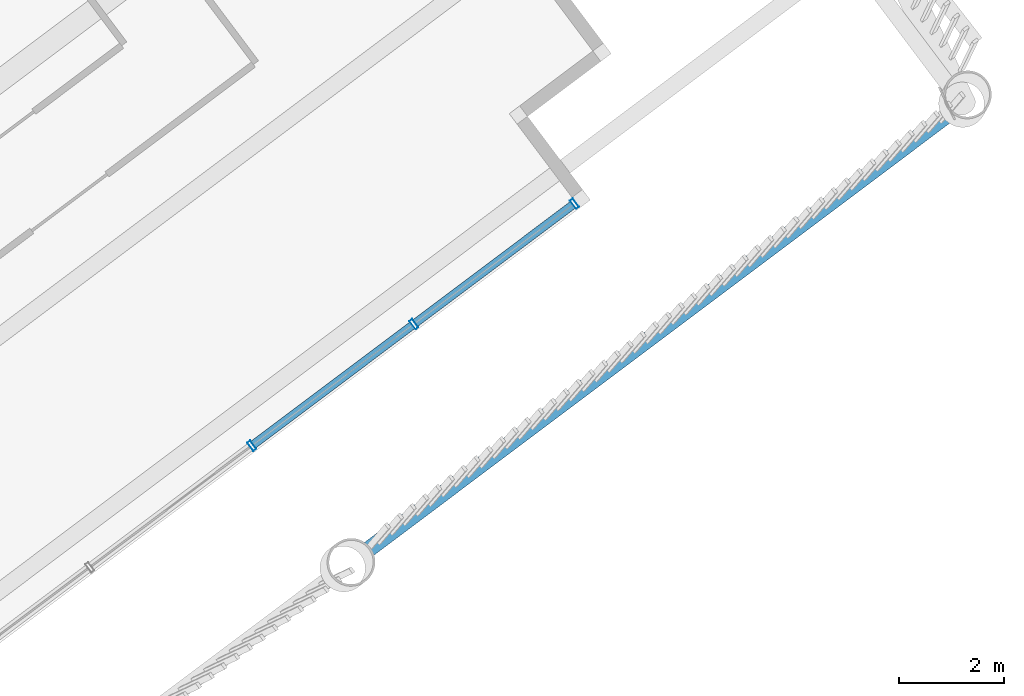
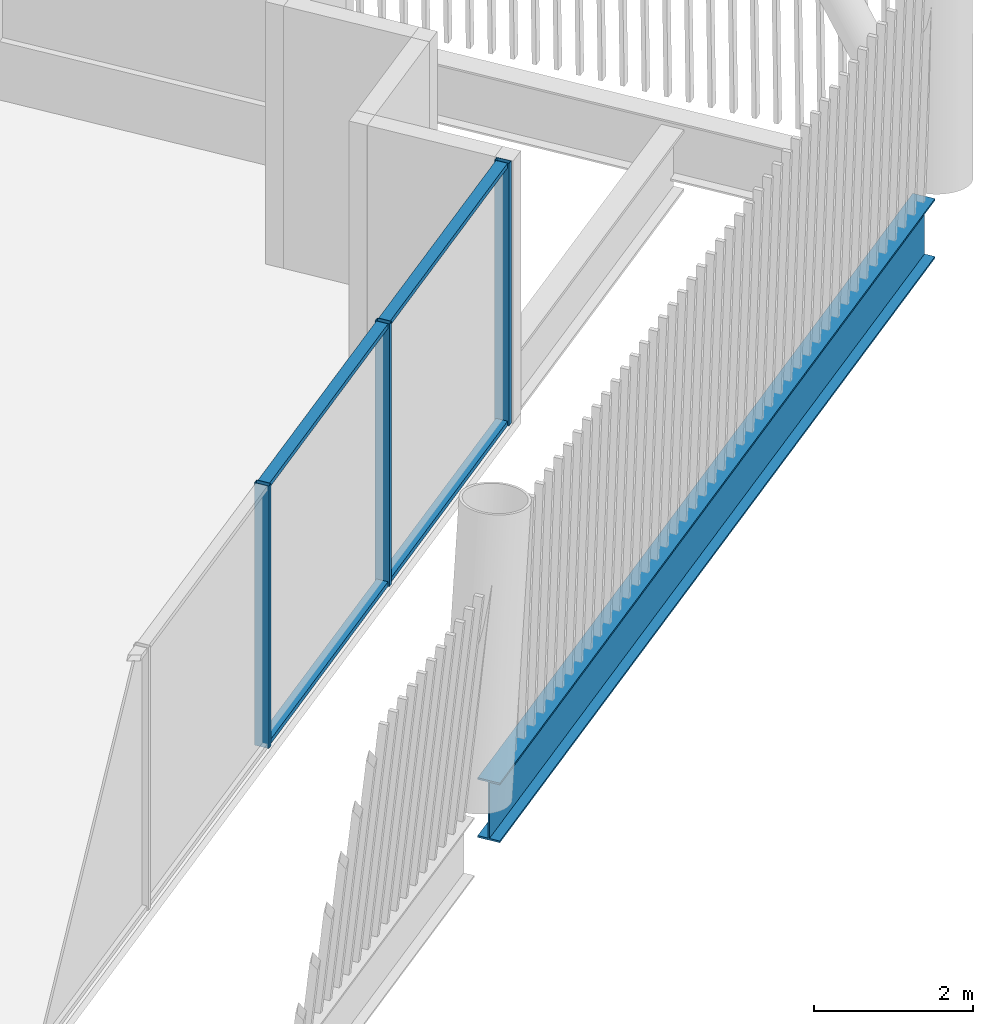
# One storey, part 15 of 35: 7 members, 1 beam, 1 element without a shape of its own.
"""IFC4 building model written with IfcOpenShell, lengths in metres."""

from ifc_helpers import new_model, si_unit, direction, frame, origin, origin_2d, place, context, subcontext, project, spatial, hollow_rectangle, i_section, extrude, material, layer, layer_set, material_profile, profile_set, type_object, element, aggregate, save


model = new_model("IFC4")

# Units and contexts
model_context = context("Model", 3, precision=1e-05, world=origin(), true_north=direction((0.0, 1.0)))
body_context = subcontext(model_context, "Body", "Model", "MODEL_VIEW")
ifc_project = project(units=[si_unit("LENGTHUNIT", "METRE"), si_unit("AREAUNIT", "SQUARE_METRE"), si_unit("VOLUMEUNIT", "CUBIC_METRE"), si_unit("PLANEANGLEUNIT", "RADIAN"), si_unit("MASSUNIT", "GRAM", prefix="KILO")], contexts=[model_context])

# Site, building, storey
site_placement = place(None, origin())
site = spatial("IfcSite", under=ifc_project, at=site_placement, CompositionType="ELEMENT")
building_placement = place(site_placement, origin())
building = spatial("IfcBuilding", under=site, at=building_placement, Name="Tarsis Ring Headquarters", CompositionType="ELEMENT")
storey_placement = place(building_placement, frame((0.0, 0.0, 377.60009765625)))
storey = spatial("IfcBuildingStorey", under=building, at=storey_placement, Name="L89", CompositionType="ELEMENT", Elevation=377.60009765625)

# Curtain wall, members
ifc_material_1 = material(Name="Aluminium curtain wall", Category="aluminium")
ifc_layer = layer(ifc_material_1, 0.199951171875)
ifc_layer_set = layer_set([ifc_layer], Name="Curtain wall executive tip")
curtain_wall_type = type_object("IfcCurtainWallType", Name="Curtain wall executive tip", PredefinedType="NOTDEFINED", material=ifc_layer_set)
curtain_wall_placement = place(storey_placement, origin())
curtain_wall = element("IfcCurtainWall", 1, at=curtain_wall_placement, inside=storey, type_object=curtain_wall_type, Name="Curtain wall L89-11", PredefinedType="NOTDEFINED")
ifc_material_2 = material(Name="Aluminium mullion", Category="aluminium")
ifc_material_profile_1 = material_profile(ifc_material_2, hollow_rectangle(XDim=0.199951171875, YDim=0.070068359375, WallThickness=0.0048828125, at=origin_2d()), Name="RHS 200x70x5")
ifc_profile_set_1 = profile_set([ifc_material_profile_1], Name="Aluminium mullion")
member_type_1 = type_object("IfcMemberType", Name="Curtain wall mullion executive tip RHS 200x70x5", PredefinedType="MULLION", material=ifc_profile_set_1)
member_1_placement = place(storey_placement, frame((19.12939453125, -25.49658203125, 0.0), z_axis=(0.0, 0.0, 1.0), x_axis=(-0.600141038412, 0.799894201763, 0.0)))
member_1 = element("IfcMember", 2, at=member_1_placement, type_object=member_type_1, Name="CW-E mullion 3", PredefinedType="MULLION", context=body_context, shape_type="SweptSolid", body=[
    extrude(hollow_rectangle(XDim=0.199951171875, YDim=0.070068359375, WallThickness=0.0048828125, at=origin_2d()), origin(), (0.0, 0.0, 1.0), 4.039794921875),
])
member_2_placement = place(storey_placement, frame((22.22900390625, -23.171142578125, 0.0), z_axis=(0.0, 0.0, 1.0), x_axis=(-0.600141038412, 0.799894201763, 0.0)))
member_2 = element("IfcMember", 3, at=member_2_placement, type_object=member_type_1, Name="CW-E mullion 4", PredefinedType="MULLION", context=body_context, shape_type="SweptSolid", body=[
    extrude(hollow_rectangle(XDim=0.199951171875, YDim=0.070068359375, WallThickness=0.0048828125, at=origin_2d()), origin(), (0.0, 0.0, 1.0), 4.039794921875),
])
member_3_placement = place(storey_placement, frame((25.30078125, -20.866455078125, 0.0), z_axis=(0.0, 0.0, 1.0), x_axis=(-0.600141038412, 0.799894201763, 0.0)))
member_3 = element("IfcMember", 4, at=member_3_placement, type_object=member_type_1, Name="CW-E mullion 5", PredefinedType="MULLION", context=body_context, shape_type="SweptSolid", body=[
    extrude(hollow_rectangle(XDim=0.199951171875, YDim=0.070068359375, WallThickness=0.0048828125, at=origin_2d()), origin(), (0.0, 0.0, 1.0), 4.039794921875),
])
ifc_material_3 = material(Name="Aluminium transom", Category="aluminium")
ifc_material_profile_2 = material_profile(ifc_material_3, hollow_rectangle(XDim=0.159912109375, YDim=0.070068359375, WallThickness=0.0048828125, at=origin_2d()), Name="RHS 160x70x5")
ifc_profile_set_2 = profile_set([ifc_material_profile_2], Name="Aluminium transom")
member_type_2 = type_object("IfcMemberType", Name="Curtain wall transom executive tip RHS 160x70x5", PredefinedType="USERDEFINED", material=ifc_profile_set_2)
member_4_placement = place(storey_placement, frame((19.157470703125, -25.4755859375, 0.034912109375), z_axis=(0.799915297381, 0.600112920221, 0.0), x_axis=(-0.600112920221, 0.799915297381, 0.0)))
member_4 = element("IfcMember", 5, at=member_4_placement, type_object=member_type_2, Name="CW-E transom 3.1", ObjectType="TRANSOM", PredefinedType="USERDEFINED", context=body_context, shape_type="SweptSolid", body=[
    extrude(hollow_rectangle(XDim=0.159912109375, YDim=0.070068359375, WallThickness=0.0048828125, at=origin_2d()), origin(), (0.0, 0.0, 1.0), 3.804931640625),
])
member_5_placement = place(storey_placement, frame((19.157470703125, -25.4755859375, 4.0048828125), z_axis=(0.799915297381, 0.600112920221, 0.0), x_axis=(-0.600112920221, 0.799915297381, 0.0)))
member_5 = element("IfcMember", 6, at=member_5_placement, type_object=member_type_2, Name="CW-E transom 3.2", ObjectType="TRANSOM", PredefinedType="USERDEFINED", context=body_context, shape_type="SweptSolid", body=[
    extrude(hollow_rectangle(XDim=0.159912109375, YDim=0.070068359375, WallThickness=0.0048828125, at=origin_2d()), origin(), (0.0, 0.0, 1.0), 3.804931640625),
])
member_6_placement = place(storey_placement, frame((22.257080078125, -23.150146484375, 0.034912109375), z_axis=(0.799875649821, 0.600165764455, 0.0), x_axis=(-0.600165764455, 0.799875649821, 0.0)))
member_6 = element("IfcMember", 7, at=member_6_placement, type_object=member_type_2, Name="CW-E transom 4.1", ObjectType="TRANSOM", PredefinedType="USERDEFINED", context=body_context, shape_type="SweptSolid", body=[
    extrude(hollow_rectangle(XDim=0.159912109375, YDim=0.070068359375, WallThickness=0.0048828125, at=origin_2d()), origin(), (0.0, 0.0, 1.0), 3.77001953125),
])
member_7_placement = place(storey_placement, frame((22.257080078125, -23.150146484375, 4.0048828125), z_axis=(0.799875649821, 0.600165764455, 0.0), x_axis=(-0.600165764455, 0.799875649821, 0.0)))
member_7 = element("IfcMember", 8, at=member_7_placement, type_object=member_type_2, Name="CW-E transom 4.2", ObjectType="TRANSOM", PredefinedType="USERDEFINED", context=body_context, shape_type="SweptSolid", body=[
    extrude(hollow_rectangle(XDim=0.159912109375, YDim=0.070068359375, WallThickness=0.0048828125, at=origin_2d()), origin(), (0.0, 0.0, 1.0), 3.77001953125),
])
aggregate(curtain_wall, [member_1, member_2, member_3, member_4, member_5, member_6, member_7])

# Beam
ifc_material_4 = material(Name="Structural steel S355", Category="steel")
ifc_material_profile_3 = material_profile(ifc_material_4, i_section(OverallWidth=0.3046875, OverallDepth=0.91943359375, WebThickness=0.017333984375, FlangeThickness=0.02783203125, at=origin_2d()), Name="W36x170")
ifc_profile_set_3 = profile_set([ifc_material_profile_3], Name="Structural steel S355")
beam_type = type_object("IfcBeamType", Name="XG Ring girder W36x170", PredefinedType="BEAM", material=ifc_profile_set_3)
beam_placement = place(storey_placement, frame((21.214111328125, -27.58935546875, -0.4599609375), z_axis=(0.799895184304, 0.600139728836, 0.0), x_axis=(-0.600139728836, 0.799895184304, 0.0)))
element("IfcBeam", 9, at=beam_placement, inside=storey, type_object=beam_type, Name="Ring girder XG4", PredefinedType="BEAM", context=body_context, shape_type="SweptSolid", body=[
    extrude(i_section(OverallWidth=0.3046875, OverallDepth=0.91943359375, WebThickness=0.017333984375, FlangeThickness=0.02783203125, at=origin_2d()), origin(), (0.0, 0.0, 1.0), 13.97705078125),
])

save(model, "model.ifc")
